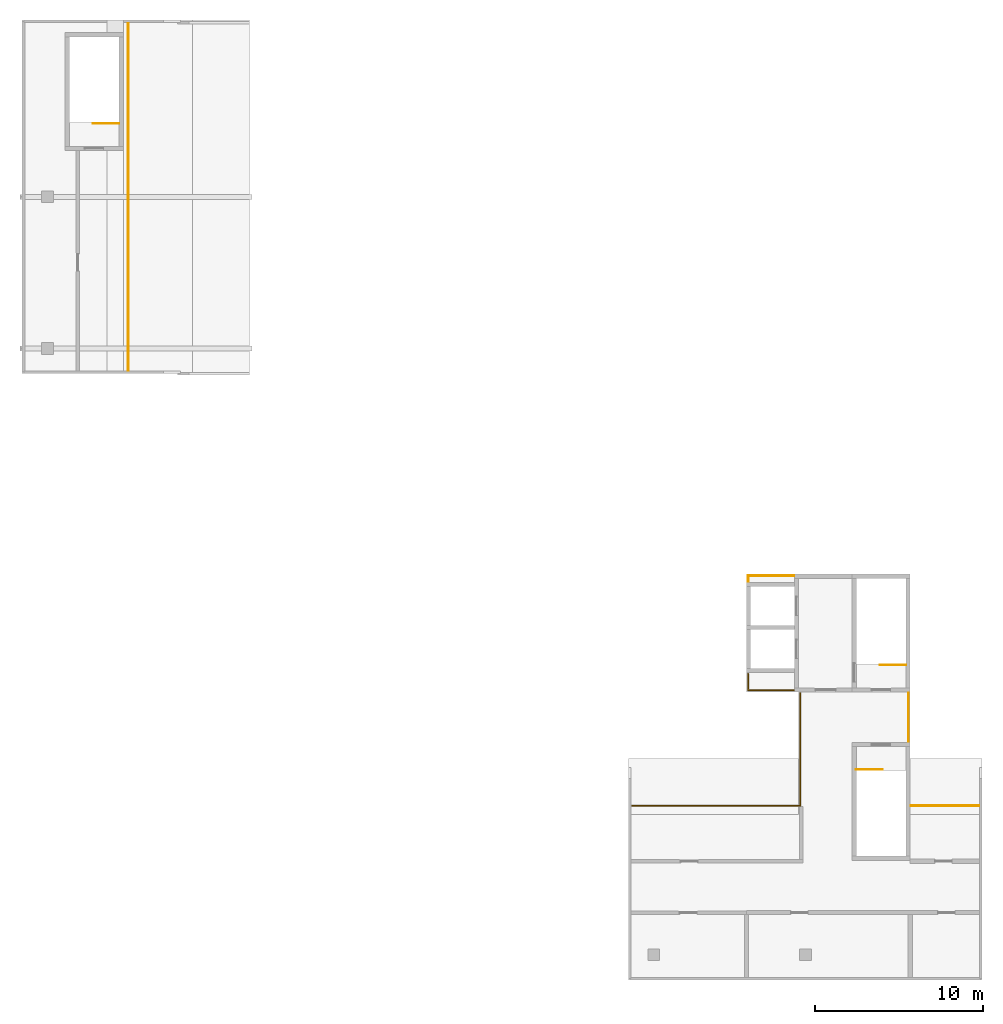
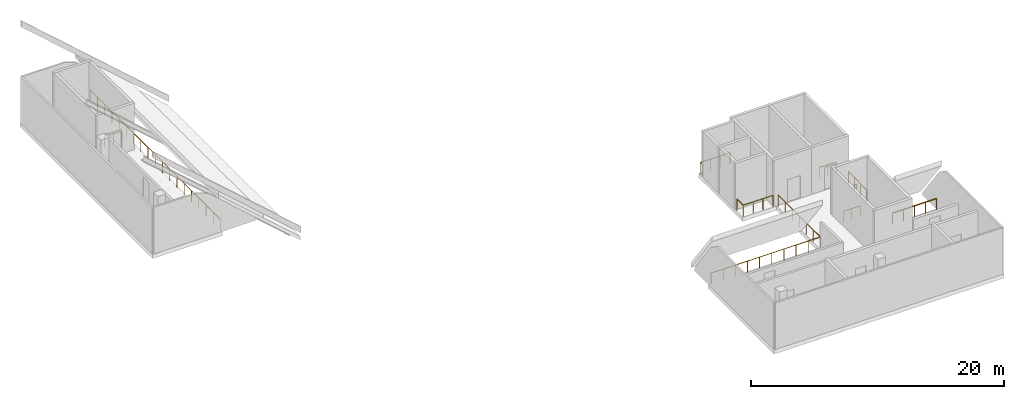
# One storey, part 3 of 3: 9 railings.
"""IFC4 building model written with IfcOpenShell, lengths in metres."""

from ifc_helpers import new_model, si_unit, direction, frame, origin, origin_2d, place, context, subcontext, project, spatial, rectangle, extrude, material, type_object, element, save


model = new_model("IFC4")

# Units and contexts
model_context = context("Model", 3, precision=1e-05, world=origin(), true_north=direction((0.0, 1.0)))
body_context = subcontext(model_context, "Body", "Model", "MODEL_VIEW")
ifc_project = project(units=[si_unit("LENGTHUNIT", "METRE"), si_unit("AREAUNIT", "SQUARE_METRE"), si_unit("VOLUMEUNIT", "CUBIC_METRE"), si_unit("PLANEANGLEUNIT", "RADIAN"), si_unit("MASSUNIT", "GRAM", prefix="KILO")], contexts=[model_context])

# Site, building, storey
site_placement = place(None, origin())
site = spatial("IfcSite", under=ifc_project, at=site_placement, CompositionType="ELEMENT")
building_placement = place(site_placement, origin())
building = spatial("IfcBuilding", under=site, at=building_placement, Name="Chenar Terraces", CompositionType="ELEMENT")
storey_placement = place(building_placement, frame((0.0, 0.0, 393.39990234375)))
storey = spatial("IfcBuildingStorey", under=building, at=storey_placement, Name="L92", CompositionType="ELEMENT", Elevation=393.39990234375)

# Railings
ifc_material_1 = material(Name="Powder-coated steel", Category="steel")
railing_type_1 = type_object("IfcRailingType", Name="Guard 1100 steel rail on posts", PredefinedType="GUARDRAIL", material=ifc_material_1)
railing_1_placement = place(storey_placement, frame((4.800048828125, 55.300048828125, 0.0)))
element("IfcRailing", 1, at=railing_1_placement, inside=storey, type_object=railing_type_1, Name="Guard L92-E1", PredefinedType="GUARDRAIL", context=body_context, shape_type="SweptSolid", body=[
    extrude(rectangle(XDim=0.048095703125, YDim=0.048095703125, at=origin_2d()), frame((0.0, 0.0, 1.076171875), z_axis=(0.0, -1.0, 0.0), x_axis=(1.0, 0.0, 0.0)), (0.0, 0.0, 1.0), 20.60009765625),
    extrude(rectangle(XDim=0.0419921875, YDim=0.0419921875, at=origin_2d()), origin(), (0.0, 0.0, 1.0), 1.052001953125),
    extrude(rectangle(XDim=0.0419921875, YDim=0.0419921875, at=origin_2d()), frame((0.0, -1.14453125, 0.0)), (0.0, 0.0, 1.0), 1.052001953125),
    extrude(rectangle(XDim=0.0419921875, YDim=0.0419921875, at=origin_2d()), frame((0.0, -2.288818359375, 0.0)), (0.0, 0.0, 1.0), 1.052001953125),
    extrude(rectangle(XDim=0.0419921875, YDim=0.0419921875, at=origin_2d()), frame((0.0, -3.433349609375, 0.0)), (0.0, 0.0, 1.0), 1.052001953125),
    extrude(rectangle(XDim=0.0419921875, YDim=0.0419921875, at=origin_2d()), frame((0.0, -4.577880859375, 0.0)), (0.0, 0.0, 1.0), 1.052001953125),
    extrude(rectangle(XDim=0.0419921875, YDim=0.0419921875, at=origin_2d()), frame((0.0, -5.72216796875, 0.0)), (0.0, 0.0, 1.0), 1.052001953125),
    extrude(rectangle(XDim=0.0419921875, YDim=0.0419921875, at=origin_2d()), frame((0.0, -6.86669921875, 0.0)), (0.0, 0.0, 1.0), 1.052001953125),
    extrude(rectangle(XDim=0.0419921875, YDim=0.0419921875, at=origin_2d()), frame((0.0, -8.01123046875, 0.0)), (0.0, 0.0, 1.0), 1.052001953125),
    extrude(rectangle(XDim=0.0419921875, YDim=0.0419921875, at=origin_2d()), frame((0.0, -9.155517578125, 0.0)), (0.0, 0.0, 1.0), 1.052001953125),
    extrude(rectangle(XDim=0.0419921875, YDim=0.0419921875, at=origin_2d()), frame((0.0, -10.300048828125, 0.0)), (0.0, 0.0, 1.0), 1.052001953125),
    extrude(rectangle(XDim=0.0419921875, YDim=0.0419921875, at=origin_2d()), frame((0.0, -11.444580078125, 0.0)), (0.0, 0.0, 1.0), 1.052001953125),
    extrude(rectangle(XDim=0.0419921875, YDim=0.0419921875, at=origin_2d()), frame((0.0, -12.5888671875, 0.0)), (0.0, 0.0, 1.0), 1.052001953125),
    extrude(rectangle(XDim=0.0419921875, YDim=0.0419921875, at=origin_2d()), frame((0.0, -13.7333984375, 0.0)), (0.0, 0.0, 1.0), 1.052001953125),
    extrude(rectangle(XDim=0.0419921875, YDim=0.0419921875, at=origin_2d()), frame((0.0, -14.8779296875, 0.0)), (0.0, 0.0, 1.0), 1.052001953125),
    extrude(rectangle(XDim=0.0419921875, YDim=0.0419921875, at=origin_2d()), frame((0.0, -16.022216796875, 0.0)), (0.0, 0.0, 1.0), 1.052001953125),
    extrude(rectangle(XDim=0.0419921875, YDim=0.0419921875, at=origin_2d()), frame((0.0, -17.166748046875, 0.0)), (0.0, 0.0, 1.0), 1.052001953125),
    extrude(rectangle(XDim=0.0419921875, YDim=0.0419921875, at=origin_2d()), frame((0.0, -18.311279296875, 0.0)), (0.0, 0.0, 1.0), 1.052001953125),
    extrude(rectangle(XDim=0.0419921875, YDim=0.0419921875, at=origin_2d()), frame((0.0, -19.45556640625, 0.0)), (0.0, 0.0, 1.0), 1.052001953125),
    extrude(rectangle(XDim=0.0419921875, YDim=0.0419921875, at=origin_2d()), frame((0.0, -20.60009765625, 0.0)), (0.0, 0.0, 1.0), 1.052001953125),
])
railing_2_placement = place(storey_placement, frame((34.699951171875, 8.85009765625, 0.0)))
element("IfcRailing", 2, at=railing_2_placement, inside=storey, type_object=railing_type_1, Name="Guard L92-E2", PredefinedType="GUARDRAIL", context=body_context, shape_type="SweptSolid", body=[
    extrude(rectangle(XDim=0.048095703125, YDim=0.048095703125, at=origin_2d()), frame((0.0, 0.0, 1.076171875), z_axis=(1.0, 0.0, 0.0), x_axis=(0.0, 1.0, 0.0)), (0.0, 0.0, 1.0), 10.0),
    extrude(rectangle(XDim=0.048095703125, YDim=0.048095703125, at=origin_2d()), frame((10.0, 0.0, 1.076171875), z_axis=(0.0, 1.0, 0.0), x_axis=(-1.0, 0.0, 0.0)), (0.0, 0.0, 1.0), 6.68994140625),
    extrude(rectangle(XDim=0.0419921875, YDim=0.0419921875, at=origin_2d()), origin(), (0.0, 0.0, 1.0), 1.052001953125),
    extrude(rectangle(XDim=0.0419921875, YDim=0.0419921875, at=origin_2d()), frame((1.111083984375, 0.0, 0.0)), (0.0, 0.0, 1.0), 1.052001953125),
    extrude(rectangle(XDim=0.0419921875, YDim=0.0419921875, at=origin_2d()), frame((2.22216796875, 0.0, 0.0)), (0.0, 0.0, 1.0), 1.052001953125),
    extrude(rectangle(XDim=0.0419921875, YDim=0.0419921875, at=origin_2d()), frame((3.333251953125, 0.0, 0.0)), (0.0, 0.0, 1.0), 1.052001953125),
    extrude(rectangle(XDim=0.0419921875, YDim=0.0419921875, at=origin_2d()), frame((4.4443359375, 0.0, 0.0)), (0.0, 0.0, 1.0), 1.052001953125),
    extrude(rectangle(XDim=0.0419921875, YDim=0.0419921875, at=origin_2d()), frame((5.5556640625, 0.0, 0.0)), (0.0, 0.0, 1.0), 1.052001953125),
    extrude(rectangle(XDim=0.0419921875, YDim=0.0419921875, at=origin_2d()), frame((6.666748046875, 0.0, 0.0)), (0.0, 0.0, 1.0), 1.052001953125),
    extrude(rectangle(XDim=0.0419921875, YDim=0.0419921875, at=origin_2d()), frame((7.77783203125, 0.0, 0.0)), (0.0, 0.0, 1.0), 1.052001953125),
    extrude(rectangle(XDim=0.0419921875, YDim=0.0419921875, at=origin_2d()), frame((8.888916015625, 0.0, 0.0)), (0.0, 0.0, 1.0), 1.052001953125),
    extrude(rectangle(XDim=0.0419921875, YDim=0.0419921875, at=origin_2d()), frame((10.0, 0.0, 0.0)), (0.0, 0.0, 1.0), 1.052001953125),
    extrude(rectangle(XDim=0.0419921875, YDim=0.0419921875, at=origin_2d()), frame((10.0, 1.114990234375, 0.0)), (0.0, 0.0, 1.0), 1.052001953125),
    extrude(rectangle(XDim=0.0419921875, YDim=0.0419921875, at=origin_2d()), frame((10.0, 2.22998046875, 0.0)), (0.0, 0.0, 1.0), 1.052001953125),
    extrude(rectangle(XDim=0.0419921875, YDim=0.0419921875, at=origin_2d()), frame((10.0, 3.344970703125, 0.0)), (0.0, 0.0, 1.0), 1.052001953125),
    extrude(rectangle(XDim=0.0419921875, YDim=0.0419921875, at=origin_2d()), frame((10.0, 4.4599609375, 0.0)), (0.0, 0.0, 1.0), 1.052001953125),
    extrude(rectangle(XDim=0.0419921875, YDim=0.0419921875, at=origin_2d()), frame((10.0, 5.574951171875, 0.0)), (0.0, 0.0, 1.0), 1.052001953125),
    extrude(rectangle(XDim=0.0419921875, YDim=0.0419921875, at=origin_2d()), frame((10.0, 6.68994140625, 0.0)), (0.0, 0.0, 1.0), 1.052001953125),
])
railing_3_placement = place(storey_placement, frame((44.330078125, 15.699951171875, 0.0)))
element("IfcRailing", 3, at=railing_3_placement, inside=storey, type_object=railing_type_1, Name="Guard L92-E3", PredefinedType="GUARDRAIL", context=body_context, shape_type="SweptSolid", body=[
    extrude(rectangle(XDim=0.048095703125, YDim=0.048095703125, at=origin_2d()), frame((0.0, 0.0, 1.076171875), z_axis=(-1.0, 0.0, 0.0), x_axis=(0.0, -1.0, 0.0)), (0.0, 0.0, 1.0), 2.72998046875),
    extrude(rectangle(XDim=0.048095703125, YDim=0.048095703125, at=origin_2d()), frame((-2.72998046875, 0.0, 1.076171875), z_axis=(0.0, 1.0, 0.0), x_axis=(-1.0, 0.0, 0.0)), (0.0, 0.0, 1.0), 0.989990234375),
    extrude(rectangle(XDim=0.0419921875, YDim=0.0419921875, at=origin_2d()), origin(), (0.0, 0.0, 1.0), 1.052001953125),
    extrude(rectangle(XDim=0.0419921875, YDim=0.0419921875, at=origin_2d()), frame((-0.909912109375, 0.0, 0.0)), (0.0, 0.0, 1.0), 1.052001953125),
    extrude(rectangle(XDim=0.0419921875, YDim=0.0419921875, at=origin_2d()), frame((-1.820068359375, 0.0, 0.0)), (0.0, 0.0, 1.0), 1.052001953125),
    extrude(rectangle(XDim=0.0419921875, YDim=0.0419921875, at=origin_2d()), frame((-2.72998046875, 0.0, 0.0)), (0.0, 0.0, 1.0), 1.052001953125),
    extrude(rectangle(XDim=0.0419921875, YDim=0.0419921875, at=origin_2d()), frame((-2.72998046875, 0.989990234375, 0.0)), (0.0, 0.0, 1.0), 1.052001953125),
])
railing_4_placement = place(storey_placement, frame((41.60009765625, 22.159912109375, 0.0)))
element("IfcRailing", 4, at=railing_4_placement, inside=storey, type_object=railing_type_1, Name="Guard L92-E4", PredefinedType="GUARDRAIL", context=body_context, shape_type="SweptSolid", body=[
    extrude(rectangle(XDim=0.048095703125, YDim=0.048095703125, at=origin_2d()), frame((0.0, 0.0, 1.076171875), z_axis=(0.0, 1.0, 0.0), x_axis=(-1.0, 0.0, 0.0)), (0.0, 0.0, 1.0), 0.340087890625),
    extrude(rectangle(XDim=0.048095703125, YDim=0.048095703125, at=origin_2d()), frame((0.0, 0.340087890625, 1.076171875), z_axis=(1.0, 0.0, 0.0), x_axis=(0.0, 1.0, 0.0)), (0.0, 0.0, 1.0), 2.72998046875),
    extrude(rectangle(XDim=0.0419921875, YDim=0.0419921875, at=origin_2d()), origin(), (0.0, 0.0, 1.0), 1.052001953125),
    extrude(rectangle(XDim=0.0419921875, YDim=0.0419921875, at=origin_2d()), frame((0.0, 0.340087890625, 0.0)), (0.0, 0.0, 1.0), 1.052001953125),
    extrude(rectangle(XDim=0.0419921875, YDim=0.0419921875, at=origin_2d()), frame((0.909912109375, 0.340087890625, 0.0)), (0.0, 0.0, 1.0), 1.052001953125),
    extrude(rectangle(XDim=0.0419921875, YDim=0.0419921875, at=origin_2d()), frame((1.820068359375, 0.340087890625, 0.0)), (0.0, 0.0, 1.0), 1.052001953125),
    extrude(rectangle(XDim=0.0419921875, YDim=0.0419921875, at=origin_2d()), frame((2.72998046875, 0.340087890625, 0.0)), (0.0, 0.0, 1.0), 1.052001953125),
])
railing_5_placement = place(storey_placement, frame((51.125, 15.5400390625, 0.0)))
element("IfcRailing", 5, at=railing_5_placement, inside=storey, type_object=railing_type_1, Name="Guard L92-E5", PredefinedType="GUARDRAIL", context=body_context, shape_type="SweptSolid", body=[
    extrude(rectangle(XDim=0.048095703125, YDim=0.048095703125, at=origin_2d()), frame((0.0, 0.0, 1.076171875), z_axis=(0.0, -1.0, 0.0), x_axis=(1.0, 0.0, 0.0)), (0.0, 0.0, 1.0), 2.880126953125),
    extrude(rectangle(XDim=0.0419921875, YDim=0.0419921875, at=origin_2d()), origin(), (0.0, 0.0, 1.0), 1.052001953125),
    extrude(rectangle(XDim=0.0419921875, YDim=0.0419921875, at=origin_2d()), frame((0.0, -0.9599609375, 0.0)), (0.0, 0.0, 1.0), 1.052001953125),
    extrude(rectangle(XDim=0.0419921875, YDim=0.0419921875, at=origin_2d()), frame((0.0, -1.920166015625, 0.0)), (0.0, 0.0, 1.0), 1.052001953125),
    extrude(rectangle(XDim=0.0419921875, YDim=0.0419921875, at=origin_2d()), frame((0.0, -2.880126953125, 0.0)), (0.0, 0.0, 1.0), 1.052001953125),
])
railing_6_placement = place(storey_placement, frame((51.284912109375, 8.85009765625, 0.0)))
element("IfcRailing", 6, at=railing_6_placement, inside=storey, type_object=railing_type_1, Name="Guard L92-E6", PredefinedType="GUARDRAIL", context=body_context, shape_type="SweptSolid", body=[
    extrude(rectangle(XDim=0.048095703125, YDim=0.048095703125, at=origin_2d()), frame((0.0, 0.0, 1.076171875), z_axis=(1.0, 0.0, 0.0), x_axis=(0.0, 1.0, 0.0)), (0.0, 0.0, 1.0), 4.01513671875),
    extrude(rectangle(XDim=0.0419921875, YDim=0.0419921875, at=origin_2d()), origin(), (0.0, 0.0, 1.0), 1.052001953125),
    extrude(rectangle(XDim=0.0419921875, YDim=0.0419921875, at=origin_2d()), frame((1.00390625, 0.0, 0.0)), (0.0, 0.0, 1.0), 1.052001953125),
    extrude(rectangle(XDim=0.0419921875, YDim=0.0419921875, at=origin_2d()), frame((2.007568359375, 0.0, 0.0)), (0.0, 0.0, 1.0), 1.052001953125),
    extrude(rectangle(XDim=0.0419921875, YDim=0.0419921875, at=origin_2d()), frame((3.01123046875, 0.0, 0.0)), (0.0, 0.0, 1.0), 1.052001953125),
    extrude(rectangle(XDim=0.0419921875, YDim=0.0419921875, at=origin_2d()), frame((4.01513671875, 0.0, 0.0)), (0.0, 0.0, 1.0), 1.052001953125),
])
ifc_material_2 = material(Name="Powder-coated steel", Category="steel")
railing_type_2 = type_object("IfcRailingType", Name="Stair guard 1100", PredefinedType="GUARDRAIL", material=ifc_material_2)
railing_7_placement = place(storey_placement, frame((49.425048828125, 17.199951171875, 0.0)))
element("IfcRailing", 7, at=railing_7_placement, inside=storey, type_object=railing_type_2, Name="L92 ST3 top well guard 1", PredefinedType="GUARDRAIL", context=body_context, shape_type="SweptSolid", body=[
    extrude(rectangle(XDim=0.048095703125, YDim=0.048095703125, at=origin_2d()), frame((0.0, 0.0, 1.076171875), z_axis=(1.0, 0.0, 0.0), x_axis=(0.0, 1.0, 0.0)), (0.0, 0.0, 1.0), 1.550048828125),
    extrude(rectangle(XDim=0.0419921875, YDim=0.0419921875, at=origin_2d()), origin(), (0.0, 0.0, 1.0), 1.052001953125),
    extrude(rectangle(XDim=0.0419921875, YDim=0.0419921875, at=origin_2d()), frame((0.77490234375, 0.0, 0.0)), (0.0, 0.0, 1.0), 1.052001953125),
    extrude(rectangle(XDim=0.0419921875, YDim=0.0419921875, at=origin_2d()), frame((1.550048828125, 0.0, 0.0)), (0.0, 0.0, 1.0), 1.052001953125),
])
railing_8_placement = place(storey_placement, frame((49.574951171875, 11.0, 0.0)))
element("IfcRailing", 8, at=railing_8_placement, inside=storey, type_object=railing_type_2, Name="L92 ST5 top well guard 1", PredefinedType="GUARDRAIL", context=body_context, shape_type="SweptSolid", body=[
    extrude(rectangle(XDim=0.048095703125, YDim=0.048095703125, at=origin_2d()), frame((0.0, 0.0, 1.076171875), z_axis=(-1.0, 0.0, 0.0), x_axis=(0.0, -1.0, 0.0)), (0.0, 0.0, 1.0), 1.550048828125),
    extrude(rectangle(XDim=0.0419921875, YDim=0.0419921875, at=origin_2d()), origin(), (0.0, 0.0, 1.0), 1.052001953125),
    extrude(rectangle(XDim=0.0419921875, YDim=0.0419921875, at=origin_2d()), frame((-0.77490234375, 0.0, 0.0)), (0.0, 0.0, 1.0), 1.052001953125),
    extrude(rectangle(XDim=0.0419921875, YDim=0.0419921875, at=origin_2d()), frame((-1.550048828125, 0.0, 0.0)), (0.0, 0.0, 1.0), 1.052001953125),
])
railing_9_placement = place(storey_placement, frame((2.699951171875, 49.35009765625, 0.0)))
element("IfcRailing", 9, at=railing_9_placement, inside=storey, type_object=railing_type_2, Name="L92 ST6 top well guard 1", PredefinedType="GUARDRAIL", context=body_context, shape_type="SweptSolid", body=[
    extrude(rectangle(XDim=0.048095703125, YDim=0.048095703125, at=origin_2d()), frame((0.0, 0.0, 1.076171875), z_axis=(1.0, 0.0, 0.0), x_axis=(0.0, 1.0, 0.0)), (0.0, 0.0, 1.0), 1.550048828125),
    extrude(rectangle(XDim=0.0419921875, YDim=0.0419921875, at=origin_2d()), origin(), (0.0, 0.0, 1.0), 1.052001953125),
    extrude(rectangle(XDim=0.0419921875, YDim=0.0419921875, at=origin_2d()), frame((0.77490234375, 0.0, 0.0)), (0.0, 0.0, 1.0), 1.052001953125),
    extrude(rectangle(XDim=0.0419921875, YDim=0.0419921875, at=origin_2d()), frame((1.550048828125, 0.0, 0.0)), (0.0, 0.0, 1.0), 1.052001953125),
])

save(model, "model.ifc")
